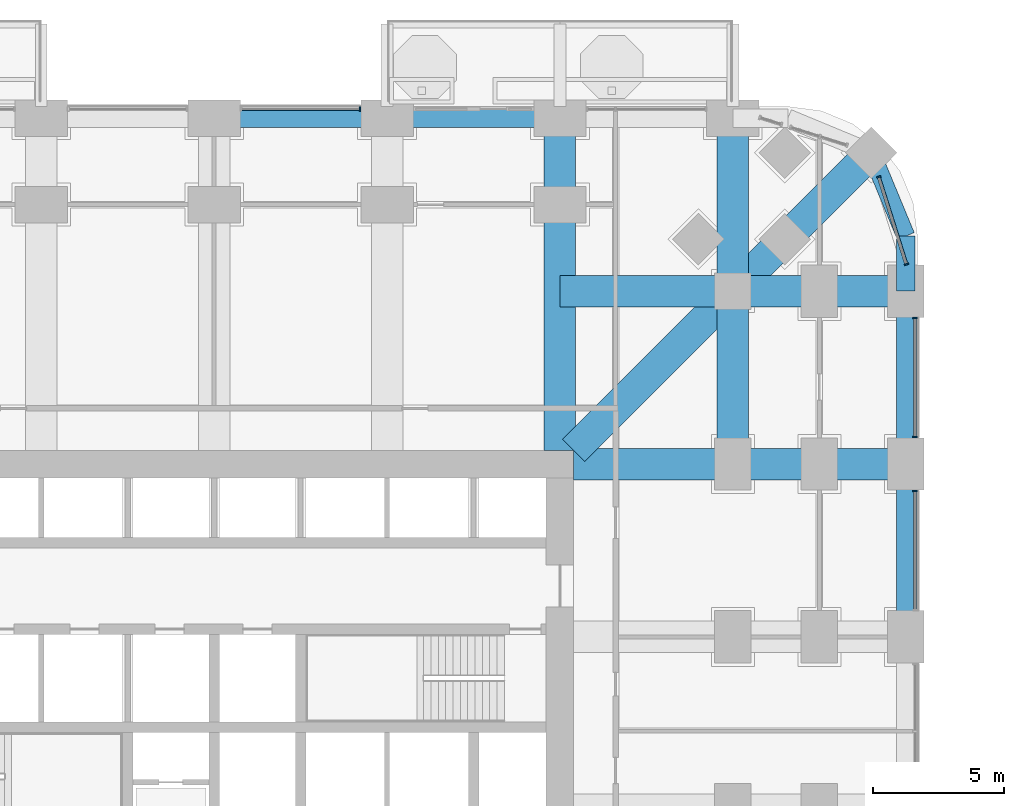
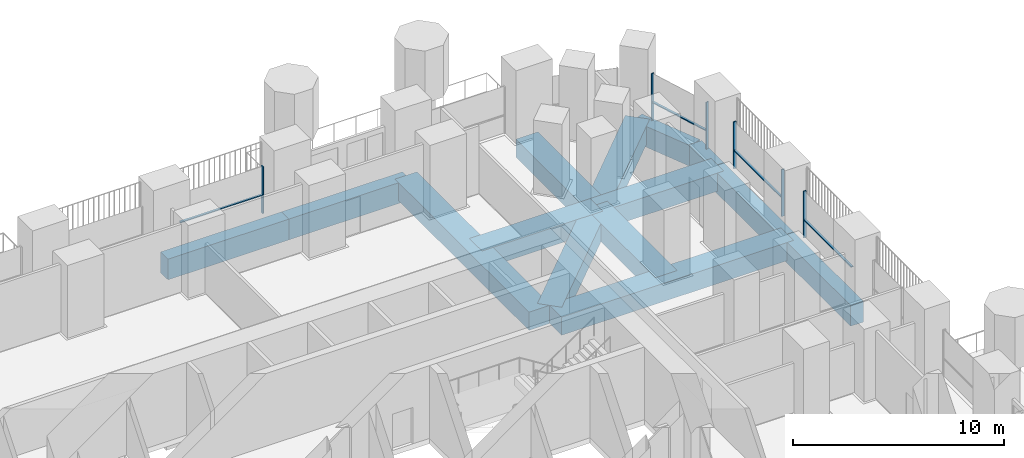
# One storey, part 9 of 25: 14 beams, 10 members, 4 elements without a shape of their own.
"""IFC4 building model written with IfcOpenShell, lengths in metres."""

from ifc_helpers import new_model, si_unit, direction, frame, origin, origin_2d, place, context, subcontext, project, spatial, rectangle, extrude, material, material_profile, profile_set, type_object, element, aggregate, save


model = new_model("IFC4")

# Units and contexts
model_context = context("Model", 3, precision=1e-05, world=origin(), true_north=direction((0.0, 1.0)))
body_context = subcontext(model_context, "Body", "Model", "MODEL_VIEW")
ifc_project = project(units=[si_unit("LENGTHUNIT", "METRE"), si_unit("AREAUNIT", "SQUARE_METRE"), si_unit("VOLUMEUNIT", "CUBIC_METRE"), si_unit("PLANEANGLEUNIT", "RADIAN"), si_unit("MASSUNIT", "GRAM", prefix="KILO")], contexts=[model_context])

# Site, building, storey
site_placement = place(None, origin())
site = spatial("IfcSite", under=ifc_project, at=site_placement, CompositionType="ELEMENT")
building_placement = place(site_placement, origin())
building = spatial("IfcBuilding", under=site, at=building_placement, Name="Cobogo Forest Laboratory Tower", CompositionType="ELEMENT")
storey_placement = place(building_placement, frame((0.0, 0.0, 21.300048828125)))
storey = spatial("IfcBuildingStorey", under=building, at=storey_placement, Name="L04", CompositionType="ELEMENT", Elevation=21.300048828125)

# Beams
ifc_material_1 = material(Name="Concrete HA-40 (C40/50)", Category="concrete")
ifc_material_profile_1 = material_profile(ifc_material_1, rectangle(XDim=1.199951171875, YDim=1.050048828125, at=origin_2d()), Name="RC 1200x1050")
ifc_profile_set_1 = profile_set([ifc_material_profile_1], Name="Concrete HA-40 (C40/50)")
beam_type_1 = type_object("IfcBeamType", Name="Laboratory floor wide beam 1200x1050", PredefinedType="BEAM", material=ifc_profile_set_1)
for number, where, z_axis, x_axis, name in (
    (1, (39.60009765625, 33.52490234375, -0.824951171875), (0.0, 1.0, 0.0), (-1.0, 0.0, 0.0), "RB1 R-7-N L04"),
    (2, (40.125, 33.0, -0.824951171875), (1.0, 0.0, 0.0), (0.0, 1.0, 0.0), "RB1 R-F-E L04"),
):
    element("IfcBeam", number, at=place(storey_placement, frame(where, z_axis=z_axis, x_axis=x_axis)), inside=storey, type_object=beam_type_1, Name=name, PredefinedType="BEAM", context=body_context, shape_type="SweptSolid", body=[
        extrude(rectangle(XDim=1.199951171875, YDim=1.050048828125, at=origin_2d()), origin(), (0.0, 0.0, 1.0), 12.675048828125),
    ])
beam_1_placement = place(storey_placement, frame((46.199951171875, 46.199951171875, -0.824951171875), z_axis=(0.0, -1.0, 0.0), x_axis=(1.0, 0.0, 0.0)))
element("IfcBeam", 3, at=beam_1_placement, inside=storey, type_object=beam_type_1, Name="RB1 G-NE-XF L04", PredefinedType="BEAM", context=body_context, shape_type="SweptSolid", body=[
    extrude(rectangle(XDim=1.199951171875, YDim=1.050048828125, at=origin_2d()), origin(), (0.0, 0.0, 1.0), 6.599853515625),
])
for number, where, z_axis, x_axis, name in (
    (4, (46.199951171875, 39.60009765625, -0.824951171875), (0.0, -1.0, 0.0), (1.0, 0.0, 0.0), "RB1 G-NE-XC L04"),
    (5, (52.800048828125, 39.60009765625, -0.824951171875), (-1.0, 0.0, 0.0), (0.0, -1.0, 0.0), "RB1 G-NE-YF L04"),
):
    element("IfcBeam", number, at=place(storey_placement, frame(where, z_axis=z_axis, x_axis=x_axis)), inside=storey, type_object=beam_type_1, Name=name, PredefinedType="BEAM", context=body_context, shape_type="SweptSolid", body=[
        extrude(rectangle(XDim=1.199951171875, YDim=1.050048828125, at=origin_2d()), origin(), (0.0, 0.0, 1.0), 6.60009765625),
    ])
beam_2_placement = place(storey_placement, frame((46.199951171875, 39.60009765625, -0.824951171875), z_axis=(-1.0, 0.0, 0.0), x_axis=(0.0, -1.0, 0.0)))
element("IfcBeam", 6, at=beam_2_placement, inside=storey, type_object=beam_type_1, Name="RB1 G-NE-YC L04", PredefinedType="BEAM", context=body_context, shape_type="SweptSolid", body=[
    extrude(rectangle(XDim=1.199951171875, YDim=1.050048828125, at=origin_2d()), origin(), (0.0, 0.0, 1.0), 6.599853515625),
])
beam_3_placement = place(storey_placement, frame((51.48193359375, 44.882080078125, -0.824951171875), z_axis=(-0.707106781187, -0.707106781187, 0.0), x_axis=(0.707106781187, -0.707106781187, 0.0)))
element("IfcBeam", 7, at=beam_3_placement, inside=storey, type_object=beam_type_1, Name="RB1 G-NE-D1 L04", PredefinedType="BEAM", context=body_context, shape_type="SweptSolid", body=[
    extrude(rectangle(XDim=1.199951171875, YDim=1.050048828125, at=origin_2d()), origin(), (0.0, 0.0, 1.0), 7.469970703125),
])
beam_4_placement = place(storey_placement, frame((46.199951171875, 39.60009765625, -0.824951171875), z_axis=(-0.707092572697, -0.70712098939, 0.0), x_axis=(0.70712098939, -0.707092572697, 0.0)))
element("IfcBeam", 8, at=beam_4_placement, inside=storey, type_object=beam_type_1, Name="RB1 G-NE-D2 L04", PredefinedType="BEAM", context=body_context, shape_type="SweptSolid", body=[
    extrude(rectangle(XDim=1.199951171875, YDim=1.050048828125, at=origin_2d()), origin(), (0.0, 0.0, 1.0), 8.591552734375),
])

# Curtain wall, member
ifc_material_2 = material(Name="Aluminium curtain wall", Category="aluminium")
curtain_wall_type = type_object("IfcCurtainWallType", Name="CW-1 unitised curtain wall, clear glazing, laboratory floors zones A and B", PredefinedType="USERDEFINED", material=ifc_material_2)
curtain_wall_1_placement = place(storey_placement, origin())
curtain_wall_1 = element("IfcCurtainWall", 9, at=curtain_wall_1_placement, inside=storey, type_object=curtain_wall_type, Name="Curtain wall 13 L04", ObjectType="UNITISED CURTAIN WALL", PredefinedType="USERDEFINED")
ifc_material_3 = material(Name="Aluminium mullion", Category="aluminium")
ifc_material_profile_2 = material_profile(ifc_material_3, rectangle(XDim=0.06005859375, YDim=0.159912109375, at=origin_2d()), Name="AL 60x160")
ifc_profile_set_2 = profile_set([ifc_material_profile_2], Name="Aluminium mullion")
member_type_1 = type_object("IfcMemberType", Name="MU-1 aluminium mullion 60x160", PredefinedType="MULLION", material=ifc_profile_set_2)
member_1_placement = place(storey_placement, frame((53.14990234375, 31.969970703125, 0.0), z_axis=(0.0, 0.0, 1.0), x_axis=(0.0, 1.0, 0.0)))
member_1 = element("IfcMember", 10, at=member_1_placement, type_object=member_type_1, Name="CW-1 mullion 2", PredefinedType="MULLION", context=body_context, shape_type="SweptSolid", body=[
    extrude(rectangle(XDim=0.06005859375, YDim=0.159912109375, at=origin_2d()), origin(), (0.0, 0.0, 1.0), 2.699951171875),
])

# Curtain wall, members
curtain_wall_2_placement = place(storey_placement, origin())
curtain_wall_2 = element("IfcCurtainWall", 11, at=curtain_wall_2_placement, inside=storey, type_object=curtain_wall_type, Name="Curtain wall 14 L04", ObjectType="UNITISED CURTAIN WALL", PredefinedType="USERDEFINED")
member_2_placement = place(storey_placement, frame((53.14990234375, 34.030029296875, 0.0), z_axis=(0.0, 0.0, 1.0), x_axis=(0.0, 1.0, 0.0)))
member_2 = element("IfcMember", 12, at=member_2_placement, type_object=member_type_1, Name="CW-1 mullion 1", PredefinedType="MULLION", context=body_context, shape_type="SweptSolid", body=[
    extrude(rectangle(XDim=0.06005859375, YDim=0.159912109375, at=origin_2d()), origin(), (0.0, 0.0, 1.0), 2.699951171875),
])
member_3_placement = place(storey_placement, frame((53.14990234375, 38.570068359375, 0.0), z_axis=(0.0, 0.0, 1.0), x_axis=(0.0, 1.0, 0.0)))
member_3 = element("IfcMember", 13, at=member_3_placement, type_object=member_type_1, Name="CW-1 mullion 2", PredefinedType="MULLION", context=body_context, shape_type="SweptSolid", body=[
    extrude(rectangle(XDim=0.06005859375, YDim=0.159912109375, at=origin_2d()), origin(), (0.0, 0.0, 1.0), 2.699951171875),
])

curtain_wall_3_placement = place(storey_placement, origin())
curtain_wall_3 = element("IfcCurtainWall", 14, at=curtain_wall_3_placement, inside=storey, type_object=curtain_wall_type, Name="Curtain wall 15 L04", ObjectType="UNITISED CURTAIN WALL", PredefinedType="USERDEFINED")
member_4_placement = place(storey_placement, frame((52.8251953125, 40.628662109375, 0.0), z_axis=(0.0, 0.0, 1.0), x_axis=(-0.301135433696, 0.953581381201, 0.0)))
member_4 = element("IfcMember", 15, at=member_4_placement, type_object=member_type_1, Name="CW-1 mullion 1", PredefinedType="MULLION", context=body_context, shape_type="SweptSolid", body=[
    extrude(rectangle(XDim=0.06005859375, YDim=0.159912109375, at=origin_2d()), origin(), (0.0, 0.0, 1.0), 2.699951171875),
])
member_5_placement = place(storey_placement, frame((51.772705078125, 43.961181640625, 0.0), z_axis=(0.0, 0.0, 1.0), x_axis=(-0.301135433696, 0.953581381201, 0.0)))
member_5 = element("IfcMember", 16, at=member_5_placement, type_object=member_type_1, Name="CW-1 mullion 2", PredefinedType="MULLION", context=body_context, shape_type="SweptSolid", body=[
    extrude(rectangle(XDim=0.06005859375, YDim=0.159912109375, at=origin_2d()), origin(), (0.0, 0.0, 1.0), 2.699951171875),
])

# Curtain wall, member
curtain_wall_4_placement = place(storey_placement, origin())
curtain_wall_4 = element("IfcCurtainWall", 17, at=curtain_wall_4_placement, inside=storey, type_object=curtain_wall_type, Name="Curtain wall 20 L04", ObjectType="UNITISED CURTAIN WALL", PredefinedType="USERDEFINED")
member_6_placement = place(storey_placement, frame((31.969970703125, 46.550048828125, 0.0), z_axis=(0.0, 0.0, 1.0), x_axis=(-1.0, 0.0, 0.0)))
member_6 = element("IfcMember", 18, at=member_6_placement, type_object=member_type_1, Name="CW-1 mullion 1", PredefinedType="MULLION", context=body_context, shape_type="SweptSolid", body=[
    extrude(rectangle(XDim=0.06005859375, YDim=0.159912109375, at=origin_2d()), origin(), (0.0, 0.0, 1.0), 2.699951171875),
])

# Beams
ifc_material_profile_3 = material_profile(ifc_material_1, rectangle(XDim=0.699951171875, YDim=1.199951171875, at=origin_2d()), Name="RC 700x1200")
ifc_profile_set_3 = profile_set([ifc_material_profile_3], Name="Concrete HA-40 (C40/50)")
beam_type_2 = type_object("IfcBeamType", Name="Perimeter edge beam 700x1200", PredefinedType="BEAM", material=ifc_profile_set_3)
for number, where, z_axis, x_axis, name in (
    (19, (52.800048828125, 26.39990234375, -0.900146484375), (0.0, 1.0, 0.0), (-1.0, 0.0, 0.0), "EB1 E-E4 L04"),
    (20, (52.800048828125, 33.0, -0.900146484375), (0.0, 1.0, 0.0), (-1.0, 0.0, 0.0), "EB1 E-E5 L04"),
    (21, (26.39990234375, 46.199951171875, -0.900146484375), (1.0, 0.0, 0.0), (0.0, 1.0, 0.0), "EB1 E-N4 L04"),
    (22, (33.0, 46.199951171875, -0.900146484375), (1.0, 0.0, 0.0), (0.0, 1.0, 0.0), "EB1 E-N5 L04"),
):
    element("IfcBeam", number, at=place(storey_placement, frame(where, z_axis=z_axis, x_axis=x_axis)), inside=storey, type_object=beam_type_2, Name=name, PredefinedType="BEAM", context=body_context, shape_type="SweptSolid", body=[
        extrude(rectangle(XDim=0.699951171875, YDim=1.199951171875, at=origin_2d()), origin(), (0.0, 0.0, 1.0), 6.60009765625),
    ])
beam_5_placement = place(storey_placement, frame((52.800048828125, 39.60009765625, -0.900146484375), z_axis=(0.0, 1.0, 0.0), x_axis=(-1.0, 0.0, 0.0)))
element("IfcBeam", 23, at=beam_5_placement, inside=storey, type_object=beam_type_2, Name="EB1 E-NEE1 L04", PredefinedType="BEAM", context=body_context, shape_type="SweptSolid", body=[
    extrude(rectangle(XDim=0.699951171875, YDim=1.199951171875, at=origin_2d()), origin(), (0.0, 0.0, 1.0), 2.099853515625),
])
beam_6_placement = place(storey_placement, frame((52.800048828125, 41.699951171875, -0.900146484375), z_axis=(-0.382691928466, 0.923876013265, 0.0), x_axis=(-0.923876013265, -0.382691928466, 0.0)))
element("IfcBeam", 24, at=beam_6_placement, inside=storey, type_object=beam_type_2, Name="EB1 E-NEE2 L04", PredefinedType="BEAM", context=body_context, shape_type="SweptSolid", body=[
    extrude(rectangle(XDim=0.699951171875, YDim=1.199951171875, at=origin_2d()), origin(), (0.0, 0.0, 1.0), 3.4443359375),
])

# Member
ifc_material_4 = material(Name="Aluminium transom", Category="aluminium")
ifc_material_profile_4 = material_profile(ifc_material_4, rectangle(XDim=0.1201171875, YDim=0.06005859375, at=origin_2d()), Name="AL 60x120")
ifc_profile_set_4 = profile_set([ifc_material_profile_4], Name="Aluminium transom")
member_type_2 = type_object("IfcMemberType", Name="TR-1 aluminium transom 60x120", PredefinedType="USERDEFINED", material=ifc_profile_set_4)
member_7_placement = place(storey_placement, frame((53.14990234375, 27.4599609375, 1.050048828125), z_axis=(0.0, 1.0, 0.0), x_axis=(-1.0, 0.0, 0.0)))
member_7 = element("IfcMember", 25, at=member_7_placement, type_object=member_type_2, Name="CW-1 transom 1.1", ObjectType="TRANSOM", PredefinedType="USERDEFINED", context=body_context, shape_type="SweptSolid", body=[
    extrude(rectangle(XDim=0.1201171875, YDim=0.06005859375, at=origin_2d()), origin(), (0.0, 0.0, 1.0), 4.47998046875),
])

aggregate(curtain_wall_1, [member_1, member_7])

member_8_placement = place(storey_placement, frame((53.14990234375, 34.06005859375, 1.050048828125), z_axis=(0.0, 1.0, 0.0), x_axis=(-1.0, 0.0, 0.0)))
member_8 = element("IfcMember", 26, at=member_8_placement, type_object=member_type_2, Name="CW-1 transom 1.1", ObjectType="TRANSOM", PredefinedType="USERDEFINED", context=body_context, shape_type="SweptSolid", body=[
    extrude(rectangle(XDim=0.1201171875, YDim=0.06005859375, at=origin_2d()), origin(), (0.0, 0.0, 1.0), 4.47998046875),
])

aggregate(curtain_wall_2, [member_2, member_3, member_8])

member_9_placement = place(storey_placement, frame((52.816162109375, 40.6572265625, 1.050048828125), z_axis=(-0.301155179686, 0.953575145308, 0.0), x_axis=(-0.953575145308, -0.301155179686, 0.0)))
member_9 = element("IfcMember", 27, at=member_9_placement, type_object=member_type_2, Name="CW-1 transom 1.1", ObjectType="TRANSOM", PredefinedType="USERDEFINED", context=body_context, shape_type="SweptSolid", body=[
    extrude(rectangle(XDim=0.1201171875, YDim=0.06005859375, at=origin_2d()), origin(), (0.0, 0.0, 1.0), 3.434814453125),
])

aggregate(curtain_wall_3, [member_4, member_5, member_9])

member_10_placement = place(storey_placement, frame((31.93994140625, 46.550048828125, 1.050048828125), z_axis=(-1.0, 0.0, 0.0), x_axis=(0.0, -1.0, 0.0)))
member_10 = element("IfcMember", 28, at=member_10_placement, type_object=member_type_2, Name="CW-1 transom 1.1", ObjectType="TRANSOM", PredefinedType="USERDEFINED", context=body_context, shape_type="SweptSolid", body=[
    extrude(rectangle(XDim=0.1201171875, YDim=0.06005859375, at=origin_2d()), origin(), (0.0, 0.0, 1.0), 4.47998046875),
])

aggregate(curtain_wall_4, [member_6, member_10])

save(model, "model.ifc")
